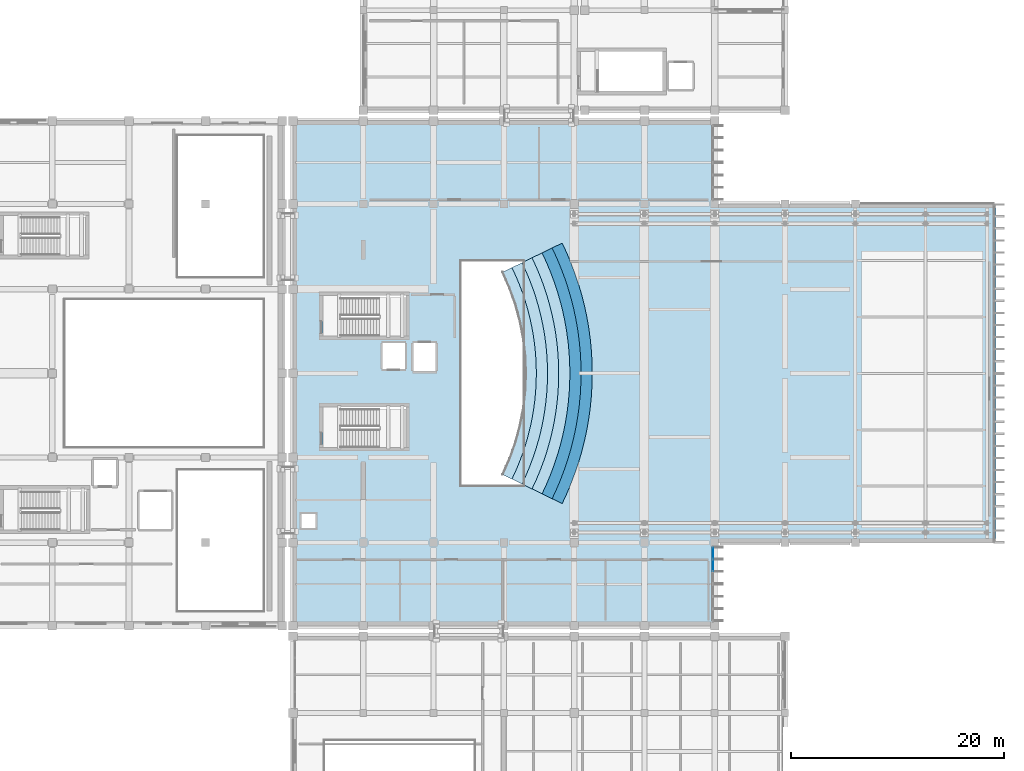
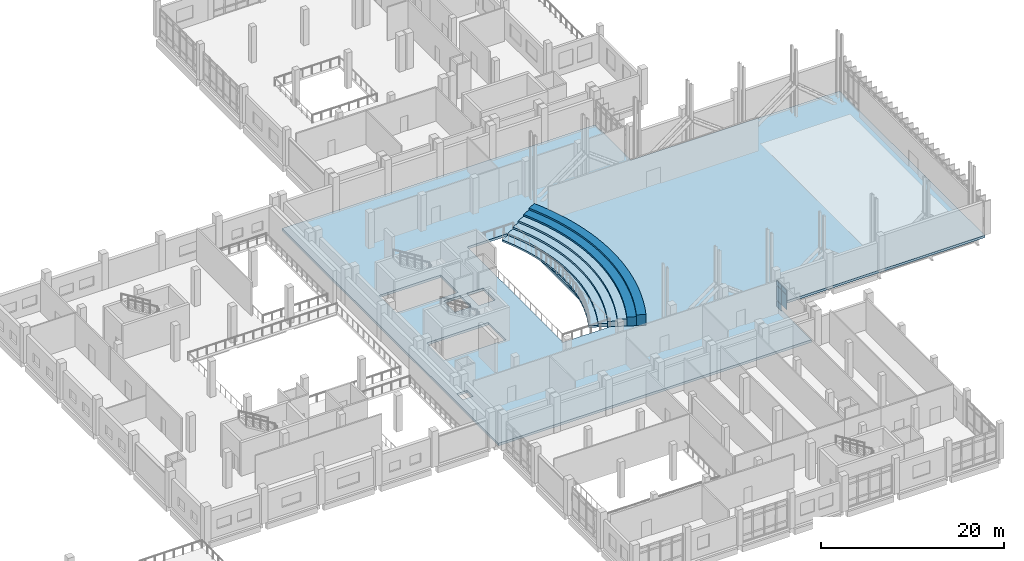
# One storey, part 40 of 73: 7 slabs, 5 plates, 1 element without a shape of its own.
"""IFC4 building model written with IfcOpenShell, lengths in metres."""

from ifc_helpers import new_model, si_unit, direction, frame, origin, origin_2d, place, context, subcontext, project, spatial, polyline, rectangle, outline, extrude, material, layer, layer_set, type_object, element, aggregate, save


model = new_model("IFC4")

# Units and contexts
model_context = context("Model", 3, precision=1e-05, world=origin(), true_north=direction((0.0, 1.0)))
body_context = subcontext(model_context, "Body", "Model", "MODEL_VIEW")
ifc_project = project(units=[si_unit("LENGTHUNIT", "METRE"), si_unit("AREAUNIT", "SQUARE_METRE"), si_unit("VOLUMEUNIT", "CUBIC_METRE"), si_unit("PLANEANGLEUNIT", "RADIAN"), si_unit("MASSUNIT", "GRAM", prefix="KILO")], contexts=[model_context])

# Site, building, storey
site_placement = place(None, origin())
site = spatial("IfcSite", under=ifc_project, at=site_placement, CompositionType="ELEMENT")
building_placement = place(site_placement, origin())
building = spatial("IfcBuilding", under=site, at=building_placement, Name="Kelarvand Opera House", CompositionType="ELEMENT")
storey_placement = place(building_placement, frame((0.0, 0.0, 10.199951171875)))
storey = spatial("IfcBuildingStorey", under=building, at=storey_placement, Name="L02", CompositionType="ELEMENT", Elevation=10.199951171875)

# Curtain wall, plates
ifc_material_1 = material(Name="Thermally broken aluminium and low-E glazing", Category="aluminium")
ifc_layer_1 = layer(ifc_material_1, 0.219970703125, Name="Thermally broken aluminium and low-E glazing", Category="aluminium")
ifc_layer_set_1 = layer_set([ifc_layer_1], Name="Thermally broken aluminium and low-E glazing")
curtain_wall_type = type_object("IfcCurtainWallType", Name="Unitised Low-E Curtain Wall 3493x3630 Mod 1150 CWF-05", PredefinedType="USERDEFINED", material=ifc_layer_set_1)
curtain_wall_placement = place(storey_placement, origin())
curtain_wall = element("IfcCurtainWall", 1, at=curtain_wall_placement, inside=storey, type_object=curtain_wall_type, Name="V1 L02 Curtain Wall CWF-05 (19)", ObjectType="UNITISED CURTAIN WALL", PredefinedType="USERDEFINED")
ifc_material_2 = material(Name="Acoustic triple-laminated low-E glazing", Category="glass")
ifc_layer_2 = layer(ifc_material_2, 0.0400390625, Name="Acoustic triple-laminated low-E glazing", Category="glass")
ifc_layer_set_2 = layer_set([ifc_layer_2], Name="Acoustic triple-laminated low-E glazing")
plate_type = type_object("IfcPlateType", Name="Acoustic Laminated Plaza Curtain Panel 40mm", PredefinedType="CURTAIN_PANEL", material=ifc_layer_set_2)
plate_1_placement = place(storey_placement, frame((128.419921875, 45.614013671875, 0.074951171875), z_axis=(0.0, 0.0, 1.0), x_axis=(0.0, -1.0, 0.0)))
plate_1 = element("IfcPlate", 2, at=plate_1_placement, type_object=plate_type, Name="CWF-05 panel 1.1", PredefinedType="CURTAIN_PANEL", context=body_context, shape_type="SweptSolid", body=[
    extrude(rectangle(XDim=1.052001953125, YDim=0.0400390625, at=origin_2d()), origin(), (0.0, 0.0, 1.0), 0.78759765625),
])
plate_2_placement = place(storey_placement, frame((128.419921875, 45.614013671875, 0.9375), z_axis=(0.0, 0.0, 1.0), x_axis=(0.0, -1.0, 0.0)))
plate_2 = element("IfcPlate", 3, at=plate_2_placement, type_object=plate_type, Name="CWF-05 panel 1.2", PredefinedType="CURTAIN_PANEL", context=body_context, shape_type="SweptSolid", body=[
    extrude(rectangle(XDim=1.052001953125, YDim=0.0400390625, at=origin_2d()), origin(), (0.0, 0.0, 1.0), 1.955078125),
])
plate_3_placement = place(storey_placement, frame((128.419921875, 45.614013671875, 2.967529296875), z_axis=(0.0, 0.0, 1.0), x_axis=(0.0, -1.0, 0.0)))
plate_3 = element("IfcPlate", 4, at=plate_3_placement, type_object=plate_type, Name="CWF-05 panel 1.3", PredefinedType="CURTAIN_PANEL", context=body_context, shape_type="SweptSolid", body=[
    extrude(rectangle(XDim=1.052001953125, YDim=0.0400390625, at=origin_2d()), origin(), (0.0, 0.0, 1.0), 0.58740234375),
])
plate_4_placement = place(storey_placement, frame((128.419921875, 44.46826171875, 0.9375), z_axis=(0.0, 0.0, 1.0), x_axis=(0.0, -1.0, 0.0)))
plate_4 = element("IfcPlate", 5, at=plate_4_placement, type_object=plate_type, Name="CWF-05 panel 2.2", PredefinedType="CURTAIN_PANEL", context=body_context, shape_type="SweptSolid", body=[
    extrude(rectangle(XDim=1.089599609375, YDim=0.0400390625, at=origin_2d()), origin(), (0.0, 0.0, 1.0), 1.955078125),
])
plate_5_placement = place(storey_placement, frame((128.419921875, 44.46826171875, 2.967529296875), z_axis=(0.0, 0.0, 1.0), x_axis=(0.0, -1.0, 0.0)))
plate_5 = element("IfcPlate", 6, at=plate_5_placement, type_object=plate_type, Name="CWF-05 panel 2.3", PredefinedType="CURTAIN_PANEL", context=body_context, shape_type="SweptSolid", body=[
    extrude(rectangle(XDim=1.089599609375, YDim=0.0400390625, at=origin_2d()), origin(), (0.0, 0.0, 1.0), 0.58740234375),
])
aggregate(curtain_wall, [plate_1, plate_2, plate_3, plate_4, plate_5])

# Slabs
ifc_material_3 = material(Name="Concrete C40/50", Category="concrete")
ifc_layer_3 = layer(ifc_material_3, 0.320068359375, Name="Concrete C40/50", Category="concrete")
ifc_layer_set_3 = layer_set([ifc_layer_3], Name="Concrete C40/50")
slab_type_1 = type_object("IfcSlabType", Name="Long-Span Hall Floor Slab 320", PredefinedType="FLOOR", material=ifc_layer_set_3)
slab_1_placement = place(storey_placement, frame((0.0, 0.0, -0.320068359375)))
element("IfcSlab", 7, at=slab_1_placement, inside=storey, type_object=slab_type_1, Name="V1 L02 Structural Slab 5", PredefinedType="FLOOR", context=body_context, shape_type="SweptSolid", body=[
    extrude(outline(polyline([(128.60009765625, 38.800048828125), (89.0, 38.800048828125), (89.0, 46.60009765625), (89.0, 78.39990234375), (89.0, 86.199951171875), (128.60009765625, 86.199951171875), (128.60009765625, 78.39990234375), (155.0, 78.39990234375), (155.0, 46.60009765625), (128.60009765625, 46.60009765625), (128.60009765625, 38.800048828125)]), holes=[polyline([(89.800048828125, 49.300048828125), (91.10009765625, 49.300048828125), (91.10009765625, 48.0), (89.800048828125, 48.0), (89.800048828125, 49.300048828125)]), polyline([(99.60009765625, 59.35009765625), (99.60009765625, 55.550048828125), (91.800048828125, 55.550048828125), (91.800048828125, 59.35009765625), (99.60009765625, 59.35009765625)]), polyline([(110.60009765625, 73.0), (110.60009765625, 52.0), (104.800048828125, 52.0), (104.800048828125, 73.0), (110.60009765625, 73.0)]), polyline([(100.300048828125, 65.35009765625), (102.39990234375, 65.35009765625), (102.39990234375, 62.699951171875), (100.300048828125, 62.699951171875), (100.300048828125, 65.35009765625)]), polyline([(99.5, 65.35009765625), (99.5, 62.89990234375), (97.39990234375, 62.89990234375), (97.39990234375, 65.35009765625), (99.5, 65.35009765625)]), polyline([(99.60009765625, 69.800048828125), (99.60009765625, 66.0), (91.800048828125, 66.0), (91.800048828125, 69.800048828125), (99.60009765625, 69.800048828125)])]), origin(), (0.0, 0.0, 1.0), 0.320068359375),
])
ifc_material_4 = material(Name="Precast concrete C40/50", Category="concrete")
ifc_layer_4 = layer(ifc_material_4, 0.199951171875, Name="Precast concrete C40/50", Category="concrete")
ifc_layer_set_4 = layer_set([ifc_layer_4], Name="Precast concrete C40/50")
slab_type_2 = type_object("IfcSlabType", Name="Precast Stepped Seating Tier 200", PredefinedType="USERDEFINED", material=ifc_layer_set_4)
slab_2_placement = place(storey_placement, origin())
element("IfcSlab", 8, at=slab_2_placement, inside=storey, type_object=slab_type_2, Name="Auditorium Horseshoe Tier 1 Step 1", ObjectType="SEATING TIER", PredefinedType="USERDEFINED", context=body_context, shape_type="SweptSolid", body=[
    extrude(outline(polyline([(108.614013671875, 53.03125), (108.9580078125, 53.77197265625), (109.27392578125, 54.525146484375), (109.56103515625, 55.289794921875), (109.819091796875, 56.064697265625), (110.047607421875, 56.848876953125), (110.246337890625, 57.64111328125), (110.4150390625, 58.440185546875), (110.553466796875, 59.2451171875), (110.6611328125, 60.0546875), (110.73828125, 60.867919921875), (110.78466796875, 61.683349609375), (110.800048828125, 62.5), (110.78466796875, 63.316650390625), (110.73828125, 64.132080078125), (110.6611328125, 64.9453125), (110.553466796875, 65.7548828125), (110.4150390625, 66.559814453125), (110.246337890625, 67.35888671875), (110.047607421875, 68.151123046875), (109.819091796875, 68.935302734375), (109.56103515625, 69.710205078125), (109.27392578125, 70.474853515625), (108.9580078125, 71.22802734375), (108.614013671875, 71.96875), (109.5576171875, 72.42919921875), (109.91845703125, 71.65234375), (110.249755859375, 70.862548828125), (110.55078125, 70.060791015625), (110.8212890625, 69.248046875), (111.06103515625, 68.42578125), (111.26953125, 67.59521484375), (111.4462890625, 66.757080078125), (111.59130859375, 65.9130859375), (111.704345703125, 65.064208984375), (111.785400390625, 64.21142578125), (111.833740234375, 63.356201171875), (111.85009765625, 62.5), (111.833740234375, 61.643798828125), (111.785400390625, 60.78857421875), (111.704345703125, 59.935791015625), (111.59130859375, 59.0869140625), (111.4462890625, 58.242919921875), (111.26953125, 57.40478515625), (111.06103515625, 56.57421875), (110.8212890625, 55.751953125), (110.55078125, 54.939208984375), (110.249755859375, 54.137451171875), (109.91845703125, 53.34765625), (109.5576171875, 52.57080078125), (108.614013671875, 53.03125)])), origin(), (0.0, 0.0, 1.0), 0.239990234375),
])
slab_3_placement = place(storey_placement, origin())
element("IfcSlab", 9, at=slab_3_placement, inside=storey, type_object=slab_type_2, Name="Auditorium Horseshoe Tier 1 Step 2", ObjectType="SEATING TIER", PredefinedType="USERDEFINED", context=body_context, shape_type="SweptSolid", body=[
    extrude(outline(polyline([(109.5576171875, 52.57080078125), (109.91845703125, 53.34765625), (110.249755859375, 54.137451171875), (110.55078125, 54.939208984375), (110.8212890625, 55.751953125), (111.06103515625, 56.57421875), (111.26953125, 57.40478515625), (111.4462890625, 58.242919921875), (111.59130859375, 59.0869140625), (111.704345703125, 59.935791015625), (111.785400390625, 60.78857421875), (111.833740234375, 61.643798828125), (111.85009765625, 62.5), (111.833740234375, 63.356201171875), (111.785400390625, 64.21142578125), (111.704345703125, 65.064208984375), (111.59130859375, 65.9130859375), (111.4462890625, 66.757080078125), (111.26953125, 67.59521484375), (111.06103515625, 68.42578125), (110.8212890625, 69.248046875), (110.55078125, 70.060791015625), (110.249755859375, 70.862548828125), (109.91845703125, 71.65234375), (109.5576171875, 72.42919921875), (110.50146484375, 72.889404296875), (110.87890625, 72.07666015625), (111.2255859375, 71.250244140625), (111.54052734375, 70.4111328125), (111.82373046875, 69.560791015625), (112.074462890625, 68.70068359375), (112.29248046875, 67.831298828125), (112.4775390625, 66.95458984375), (112.62939453125, 66.0712890625), (112.747802734375, 65.182861328125), (112.832275390625, 64.290771484375), (112.883056640625, 63.39599609375), (112.89990234375, 62.5), (112.883056640625, 61.60400390625), (112.832275390625, 60.709228515625), (112.747802734375, 59.817138671875), (112.62939453125, 58.9287109375), (112.4775390625, 58.04541015625), (112.29248046875, 57.168701171875), (112.074462890625, 56.29931640625), (111.82373046875, 55.439208984375), (111.54052734375, 54.5888671875), (111.2255859375, 53.749755859375), (110.87890625, 52.92333984375), (110.50146484375, 52.110595703125), (109.5576171875, 52.57080078125)])), origin(), (0.0, 0.0, 1.0), 0.47998046875),
])
slab_4_placement = place(storey_placement, origin())
element("IfcSlab", 10, at=slab_4_placement, inside=storey, type_object=slab_type_2, Name="Auditorium Horseshoe Tier 1 Step 3", ObjectType="SEATING TIER", PredefinedType="USERDEFINED", context=body_context, shape_type="SweptSolid", body=[
    extrude(outline(polyline([(110.50146484375, 52.110595703125), (110.87890625, 52.92333984375), (111.2255859375, 53.749755859375), (111.54052734375, 54.5888671875), (111.82373046875, 55.439208984375), (112.074462890625, 56.29931640625), (112.29248046875, 57.168701171875), (112.4775390625, 58.04541015625), (112.62939453125, 58.9287109375), (112.747802734375, 59.817138671875), (112.832275390625, 60.709228515625), (112.883056640625, 61.60400390625), (112.89990234375, 62.5), (112.883056640625, 63.39599609375), (112.832275390625, 64.290771484375), (112.747802734375, 65.182861328125), (112.62939453125, 66.0712890625), (112.4775390625, 66.95458984375), (112.29248046875, 67.831298828125), (112.074462890625, 68.70068359375), (111.82373046875, 69.560791015625), (111.54052734375, 70.4111328125), (111.2255859375, 71.250244140625), (110.87890625, 72.07666015625), (110.50146484375, 72.889404296875), (111.4453125, 73.349609375), (111.83935546875, 72.5009765625), (112.201416015625, 71.637939453125), (112.530517578125, 70.76171875), (112.825927734375, 69.873779296875), (113.087890625, 68.975341796875), (113.315673828125, 68.0673828125), (113.5087890625, 67.15185546875), (113.66748046875, 66.2294921875), (113.791015625, 65.3017578125), (113.879150390625, 64.3701171875), (113.932373046875, 63.435791015625), (113.949951171875, 62.5), (113.932373046875, 61.564208984375), (113.879150390625, 60.6298828125), (113.791015625, 59.6982421875), (113.66748046875, 58.7705078125), (113.5087890625, 57.84814453125), (113.315673828125, 56.9326171875), (113.087890625, 56.024658203125), (112.825927734375, 55.126220703125), (112.530517578125, 54.23828125), (112.201416015625, 53.362060546875), (111.83935546875, 52.4990234375), (111.4453125, 51.650390625), (110.50146484375, 52.110595703125)])), origin(), (0.0, 0.0, 1.0), 0.719970703125),
])
slab_5_placement = place(storey_placement, origin())
element("IfcSlab", 11, at=slab_5_placement, inside=storey, type_object=slab_type_2, Name="Auditorium Horseshoe Tier 1 Step 4", ObjectType="SEATING TIER", PredefinedType="USERDEFINED", context=body_context, shape_type="SweptSolid", body=[
    extrude(outline(polyline([(111.4453125, 51.650390625), (111.83935546875, 52.4990234375), (112.201416015625, 53.362060546875), (112.530517578125, 54.23828125), (112.825927734375, 55.126220703125), (113.087890625, 56.024658203125), (113.315673828125, 56.9326171875), (113.5087890625, 57.84814453125), (113.66748046875, 58.7705078125), (113.791015625, 59.6982421875), (113.879150390625, 60.6298828125), (113.932373046875, 61.564208984375), (113.949951171875, 62.5), (113.932373046875, 63.435791015625), (113.879150390625, 64.3701171875), (113.791015625, 65.3017578125), (113.66748046875, 66.2294921875), (113.5087890625, 67.15185546875), (113.315673828125, 68.0673828125), (113.087890625, 68.975341796875), (112.825927734375, 69.873779296875), (112.530517578125, 70.76171875), (112.201416015625, 71.637939453125), (111.83935546875, 72.5009765625), (111.4453125, 73.349609375), (112.388916015625, 73.81005859375), (112.7998046875, 72.92529296875), (113.17724609375, 72.025390625), (113.520263671875, 71.1123046875), (113.828369140625, 70.1865234375), (114.101318359375, 69.25), (114.338623046875, 68.3037109375), (114.540283203125, 67.34912109375), (114.705322265625, 66.3876953125), (114.834228515625, 65.420654296875), (114.92626953125, 64.449462890625), (114.981689453125, 63.475341796875), (115.0, 62.5), (114.981689453125, 61.524658203125), (114.92626953125, 60.550537109375), (114.834228515625, 59.579345703125), (114.705322265625, 58.6123046875), (114.540283203125, 57.65087890625), (114.338623046875, 56.6962890625), (114.101318359375, 55.75), (113.828369140625, 54.8134765625), (113.520263671875, 53.8876953125), (113.17724609375, 52.974609375), (112.7998046875, 52.07470703125), (112.388916015625, 51.18994140625), (111.4453125, 51.650390625)])), origin(), (0.0, 0.0, 1.0), 0.9599609375),
])
slab_6_placement = place(storey_placement, origin())
element("IfcSlab", 12, at=slab_6_placement, inside=storey, type_object=slab_type_2, Name="Auditorium Horseshoe Tier 1 Step 5", ObjectType="SEATING TIER", PredefinedType="USERDEFINED", context=body_context, shape_type="SweptSolid", body=[
    extrude(outline(polyline([(112.388916015625, 51.18994140625), (112.7998046875, 52.07470703125), (113.17724609375, 52.974609375), (113.520263671875, 53.8876953125), (113.828369140625, 54.8134765625), (114.101318359375, 55.75), (114.338623046875, 56.6962890625), (114.540283203125, 57.65087890625), (114.705322265625, 58.6123046875), (114.834228515625, 59.579345703125), (114.92626953125, 60.550537109375), (114.981689453125, 61.524658203125), (115.0, 62.5), (114.981689453125, 63.475341796875), (114.92626953125, 64.449462890625), (114.834228515625, 65.420654296875), (114.705322265625, 66.3876953125), (114.540283203125, 67.34912109375), (114.338623046875, 68.3037109375), (114.101318359375, 69.25), (113.828369140625, 70.1865234375), (113.520263671875, 71.1123046875), (113.17724609375, 72.025390625), (112.7998046875, 72.92529296875), (112.388916015625, 73.81005859375), (113.33251953125, 74.270263671875), (113.760498046875, 73.349609375), (114.153076171875, 72.4130859375), (114.510009765625, 71.462646484375), (114.830810546875, 70.49951171875), (115.11474609375, 69.524658203125), (115.36181640625, 68.539794921875), (115.571533203125, 67.54638671875), (115.743408203125, 66.5458984375), (115.87744140625, 65.53955078125), (115.97314453125, 64.52880859375), (116.03076171875, 63.51513671875), (116.050048828125, 62.5), (116.03076171875, 61.48486328125), (115.97314453125, 60.47119140625), (115.87744140625, 59.46044921875), (115.743408203125, 58.4541015625), (115.571533203125, 57.45361328125), (115.36181640625, 56.460205078125), (115.11474609375, 55.475341796875), (114.830810546875, 54.50048828125), (114.510009765625, 53.537353515625), (114.153076171875, 52.5869140625), (113.760498046875, 51.650390625), (113.33251953125, 50.729736328125), (112.388916015625, 51.18994140625)])), origin(), (0.0, 0.0, 1.0), 1.199951171875),
])
slab_7_placement = place(storey_placement, origin())
element("IfcSlab", 13, at=slab_7_placement, inside=storey, type_object=slab_type_2, Name="Auditorium Horseshoe Tier 1 Step 6", ObjectType="SEATING TIER", PredefinedType="USERDEFINED", context=body_context, shape_type="SweptSolid", body=[
    extrude(outline(polyline([(113.33251953125, 50.729736328125), (113.760498046875, 51.650390625), (114.153076171875, 52.5869140625), (114.510009765625, 53.537353515625), (114.830810546875, 54.50048828125), (115.11474609375, 55.475341796875), (115.36181640625, 56.460205078125), (115.571533203125, 57.45361328125), (115.743408203125, 58.4541015625), (115.87744140625, 59.46044921875), (115.97314453125, 60.47119140625), (116.03076171875, 61.48486328125), (116.050048828125, 62.5), (116.03076171875, 63.51513671875), (115.97314453125, 64.52880859375), (115.87744140625, 65.53955078125), (115.743408203125, 66.5458984375), (115.571533203125, 67.54638671875), (115.36181640625, 68.539794921875), (115.11474609375, 69.524658203125), (114.830810546875, 70.49951171875), (114.510009765625, 71.462646484375), (114.153076171875, 72.4130859375), (113.760498046875, 73.349609375), (113.33251953125, 74.270263671875), (114.2763671875, 74.730712890625), (114.720703125, 73.773681640625), (115.12890625, 72.80078125), (115.499755859375, 71.813232421875), (115.8330078125, 70.812255859375), (116.128173828125, 69.79931640625), (116.385009765625, 68.776123046875), (116.602783203125, 67.743896484375), (116.781494140625, 66.7041015625), (116.920654296875, 65.658447265625), (117.020263671875, 64.608154296875), (117.080078125, 63.5546875), (117.10009765625, 62.5), (117.080078125, 61.4453125), (117.020263671875, 60.391845703125), (116.920654296875, 59.341552734375), (116.781494140625, 58.2958984375), (116.602783203125, 57.256103515625), (116.385009765625, 56.223876953125), (116.128173828125, 55.20068359375), (115.8330078125, 54.187744140625), (115.499755859375, 53.186767578125), (115.12890625, 52.19921875), (114.720703125, 51.226318359375), (114.2763671875, 50.269287109375), (113.33251953125, 50.729736328125)])), origin(), (0.0, 0.0, 1.0), 1.43994140625),
])

save(model, "model.ifc")
